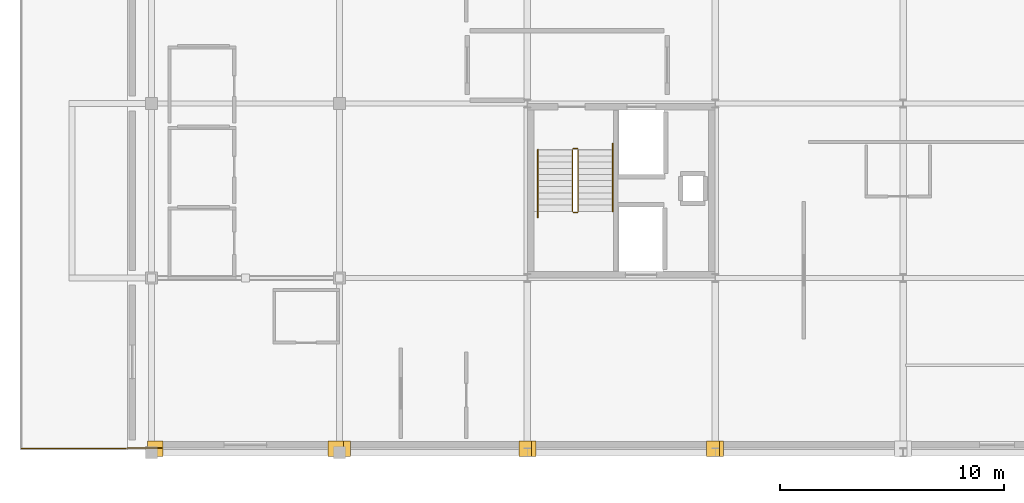
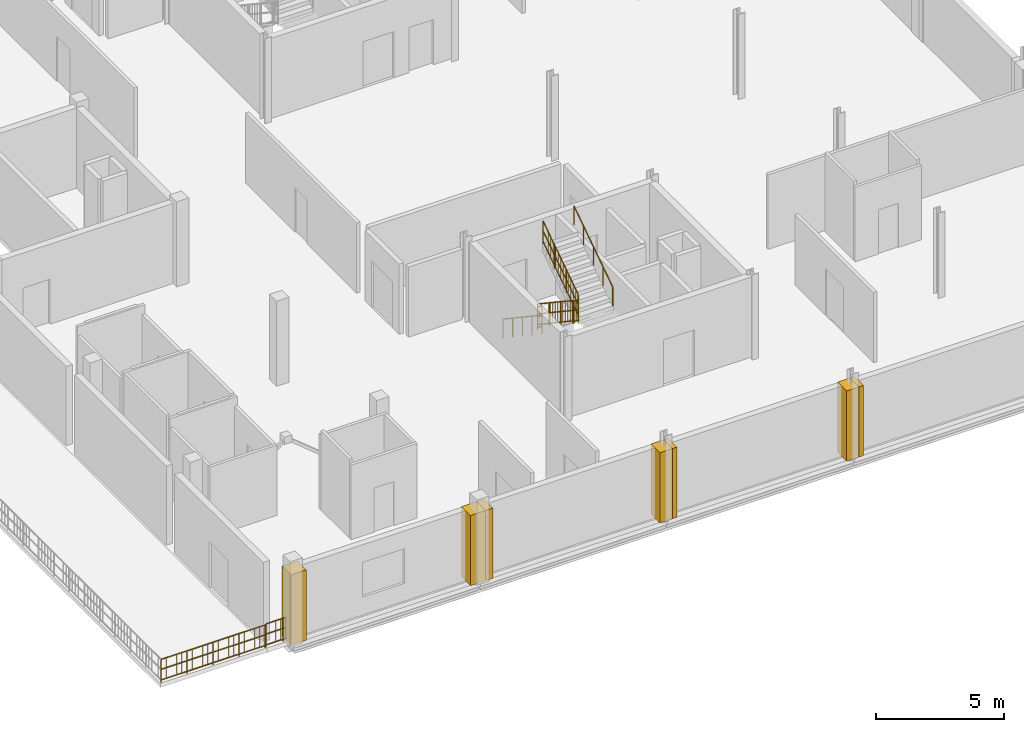
# One storey, part 11 of 16: 8 railings, 7 coverings.
"""IFC4 building model written with IfcOpenShell, lengths in metres."""

from ifc_helpers import new_model, si_unit, direction, frame, origin, origin_2d, place, context, subcontext, project, spatial, polyline, circle, outline, extrude, material, layer, layer_set, type_object, element, save


model = new_model("IFC4")

# Units and contexts
model_context = context("Model", 3, precision=1e-05, world=origin(), true_north=direction((0.0, 1.0)))
body_context = subcontext(model_context, "Body", "Model", "MODEL_VIEW")
ifc_project = project(units=[si_unit("LENGTHUNIT", "METRE"), si_unit("AREAUNIT", "SQUARE_METRE"), si_unit("VOLUMEUNIT", "CUBIC_METRE"), si_unit("PLANEANGLEUNIT", "RADIAN"), si_unit("MASSUNIT", "GRAM", prefix="KILO")], contexts=[model_context])

# Site, building, storey
site_placement = place(None, origin())
site = spatial("IfcSite", under=ifc_project, at=site_placement, CompositionType="ELEMENT")
building_placement = place(site_placement, origin())
building = spatial("IfcBuilding", under=site, at=building_placement, Name="Nabrawat Pavilion Hospital", CompositionType="ELEMENT")
storey_placement = place(building_placement, frame((0.0, 0.0, 31.050048828125)))
storey = spatial("IfcBuildingStorey", under=building, at=storey_placement, Name="L07", CompositionType="ELEMENT", Elevation=31.050048828125)

# Coverings
ifc_material_1 = material(Name="Precast concrete C40/50", Category="concrete")
ifc_layer_1 = layer(ifc_material_1, 0.360107421875, Name="Precast concrete C40/50")
ifc_layer_set_1 = layer_set([ifc_layer_1], Name="Precast concrete C40/50")
covering_type = type_object("IfcCoveringType", Name="Architectural Precast Column-Jamb Closure Reveal", PredefinedType="CLADDING", material=ifc_layer_set_1)
covering_1_placement = place(storey_placement, origin())
element("IfcCovering", 1, at=covering_1_placement, inside=storey, type_object=covering_type, Name="L07 Precast Facade Column-Jamb Weatherseal Closure 0639", PredefinedType="CLADDING", context=body_context, shape_type="SweptSolid", body=[
    extrude(outline(polyline([(151.705078125, 38.820068359375), (151.705078125, 39.52001953125), (151.02001953125, 39.52001953125), (151.02001953125, 38.820068359375), (151.705078125, 38.820068359375)])), origin(), (0.0, 0.0, 1.0), 3.33984375),
])
covering_2_placement = place(storey_placement, origin())
element("IfcCovering", 2, at=covering_2_placement, inside=storey, type_object=covering_type, Name="L07 Precast Facade Column-Jamb Weatherseal Closure 0640", PredefinedType="CLADDING", context=body_context, shape_type="SweptSolid", body=[
    extrude(outline(polyline([(159.780029296875, 38.820068359375), (159.780029296875, 39.52001953125), (159.094970703125, 39.52001953125), (159.094970703125, 38.820068359375), (159.780029296875, 38.820068359375)])), origin(), (0.0, 0.0, 1.0), 3.33984375),
])
covering_3_placement = place(storey_placement, origin())
element("IfcCovering", 3, at=covering_3_placement, inside=storey, type_object=covering_type, Name="L07 Precast Facade Column-Jamb Weatherseal Closure 0641", PredefinedType="CLADDING", context=body_context, shape_type="SweptSolid", body=[
    extrude(outline(polyline([(160.10498046875, 38.820068359375), (160.10498046875, 39.52001953125), (159.419921875, 39.52001953125), (159.419921875, 38.820068359375), (160.10498046875, 38.820068359375)])), origin(), (0.0, 0.0, 1.0), 3.33984375),
])
covering_4_placement = place(storey_placement, origin())
element("IfcCovering", 4, at=covering_4_placement, inside=storey, type_object=covering_type, Name="L07 Precast Facade Column-Jamb Weatherseal Closure 0642", PredefinedType="CLADDING", context=body_context, shape_type="SweptSolid", body=[
    extrude(outline(polyline([(168.179931640625, 38.820068359375), (168.179931640625, 39.52001953125), (167.6201171875, 39.52001953125), (167.6201171875, 38.820068359375), (168.179931640625, 38.820068359375)])), origin(), (0.0, 0.0, 1.0), 3.33984375),
])
covering_5_placement = place(storey_placement, origin())
element("IfcCovering", 5, at=covering_5_placement, inside=storey, type_object=covering_type, Name="L07 Precast Facade Column-Jamb Weatherseal Closure 0643", PredefinedType="CLADDING", context=body_context, shape_type="SweptSolid", body=[
    extrude(outline(polyline([(168.3798828125, 38.820068359375), (168.3798828125, 39.52001953125), (167.820068359375, 39.52001953125), (167.820068359375, 38.820068359375), (168.3798828125, 38.820068359375)])), origin(), (0.0, 0.0, 1.0), 3.33984375),
])
covering_6_placement = place(storey_placement, origin())
element("IfcCovering", 6, at=covering_6_placement, inside=storey, type_object=covering_type, Name="L07 Precast Facade Column-Jamb Weatherseal Closure 0644", PredefinedType="CLADDING", context=body_context, shape_type="SweptSolid", body=[
    extrude(outline(polyline([(176.580078125, 38.820068359375), (176.580078125, 39.52001953125), (176.02001953125, 39.52001953125), (176.02001953125, 38.820068359375), (176.580078125, 38.820068359375)])), origin(), (0.0, 0.0, 1.0), 3.33984375),
])
covering_7_placement = place(storey_placement, origin())
element("IfcCovering", 7, at=covering_7_placement, inside=storey, type_object=covering_type, Name="L07 Precast Facade Column-Jamb Weatherseal Closure 0645", PredefinedType="CLADDING", context=body_context, shape_type="SweptSolid", body=[
    extrude(outline(polyline([(176.780029296875, 38.820068359375), (176.780029296875, 39.52001953125), (176.219970703125, 39.52001953125), (176.219970703125, 38.820068359375), (176.780029296875, 38.820068359375)])), origin(), (0.0, 0.0, 1.0), 3.33984375),
])

# Railings
ifc_material_2 = material(Name="Stainless Steel 316", Category="steel")
ifc_layer_2 = layer(ifc_material_2, 0.070068359375, Name="Stainless Steel 316")
ifc_layer_set_2 = layer_set([ifc_layer_2], Name="Stainless Steel 316")
railing_type_1 = type_object("IfcRailingType", Name="Exterior Clinical Terrace Safety Guardrail 1100", PredefinedType="GUARDRAIL", material=ifc_layer_set_2)
railing_1_placement = place(storey_placement, frame((145.3798828125, 39.179931640625, 0.0)))
element("IfcRailing", 8, at=railing_1_placement, inside=storey, type_object=railing_type_1, Name="L07 Terrace Edge Safety Guardrail T_L07_WARD_WEST_S South", PredefinedType="GUARDRAIL", context=body_context, shape_type="SweptSolid", body=[
    extrude(circle(Radius=0.02392578125, at=origin_2d()), frame((0.0, 0.0, 1.076171875), z_axis=(1.0, 0.0, 0.0), x_axis=(0.0, 1.0, 0.0)), (0.0, 0.0, 1.0), 4.68017578125),
    extrude(circle(Radius=0.02392578125, at=origin_2d()), frame((0.0, 0.0, 0.10009765625), z_axis=(1.0, 0.0, 0.0), x_axis=(0.0, 1.0, 0.0)), (0.0, 0.0, 1.0), 4.68017578125),
    extrude(circle(Radius=0.02392578125, at=origin_2d()), frame((0.0, 0.0, 0.60498046875), z_axis=(1.0, 0.0, 0.0), x_axis=(0.0, 1.0, 0.0)), (0.0, 0.0, 1.0), 4.68017578125),
    extrude(circle(Radius=0.008056640625, at=origin_2d()), frame((0.23388671875, 0.0, 0.10009765625)), (0.0, 0.0, 1.0), 0.951904296875),
    extrude(circle(Radius=0.008056640625, at=origin_2d()), frame((0.468017578125, 0.0, 0.10009765625)), (0.0, 0.0, 1.0), 0.951904296875),
    extrude(circle(Radius=0.008056640625, at=origin_2d()), frame((0.7021484375, 0.0, 0.10009765625)), (0.0, 0.0, 1.0), 0.951904296875),
    extrude(circle(Radius=0.008056640625, at=origin_2d()), frame((0.93603515625, 0.0, 0.10009765625)), (0.0, 0.0, 1.0), 0.951904296875),
    extrude(circle(Radius=0.008056640625, at=origin_2d()), frame((1.404052734375, 0.0, 0.10009765625)), (0.0, 0.0, 1.0), 0.951904296875),
    extrude(circle(Radius=0.008056640625, at=origin_2d()), frame((1.63818359375, 0.0, 0.10009765625)), (0.0, 0.0, 1.0), 0.951904296875),
    extrude(circle(Radius=0.008056640625, at=origin_2d()), frame((1.8720703125, 0.0, 0.10009765625)), (0.0, 0.0, 1.0), 0.951904296875),
    extrude(circle(Radius=0.008056640625, at=origin_2d()), frame((2.10595703125, 0.0, 0.10009765625)), (0.0, 0.0, 1.0), 0.951904296875),
    extrude(circle(Radius=0.008056640625, at=origin_2d()), frame((2.57421875, 0.0, 0.10009765625)), (0.0, 0.0, 1.0), 0.951904296875),
    extrude(circle(Radius=0.008056640625, at=origin_2d()), frame((2.80810546875, 0.0, 0.10009765625)), (0.0, 0.0, 1.0), 0.951904296875),
    extrude(circle(Radius=0.008056640625, at=origin_2d()), frame((3.0419921875, 0.0, 0.10009765625)), (0.0, 0.0, 1.0), 0.951904296875),
    extrude(circle(Radius=0.008056640625, at=origin_2d()), frame((3.276123046875, 0.0, 0.10009765625)), (0.0, 0.0, 1.0), 0.951904296875),
    extrude(circle(Radius=0.008056640625, at=origin_2d()), frame((3.744140625, 0.0, 0.10009765625)), (0.0, 0.0, 1.0), 0.951904296875),
    extrude(circle(Radius=0.008056640625, at=origin_2d()), frame((3.97802734375, 0.0, 0.10009765625)), (0.0, 0.0, 1.0), 0.951904296875),
    extrude(circle(Radius=0.008056640625, at=origin_2d()), frame((4.212158203125, 0.0, 0.10009765625)), (0.0, 0.0, 1.0), 0.951904296875),
    extrude(circle(Radius=0.008056640625, at=origin_2d()), frame((4.4462890625, 0.0, 0.10009765625)), (0.0, 0.0, 1.0), 0.951904296875),
    extrude(circle(Radius=0.02099609375, at=origin_2d()), origin(), (0.0, 0.0, 1.0), 1.052001953125),
    extrude(circle(Radius=0.02099609375, at=origin_2d()), frame((1.169921875, 0.0, 0.0)), (0.0, 0.0, 1.0), 1.052001953125),
    extrude(circle(Radius=0.02099609375, at=origin_2d()), frame((2.340087890625, 0.0, 0.0)), (0.0, 0.0, 1.0), 1.052001953125),
    extrude(circle(Radius=0.02099609375, at=origin_2d()), frame((3.51025390625, 0.0, 0.0)), (0.0, 0.0, 1.0), 1.052001953125),
    extrude(circle(Radius=0.02099609375, at=origin_2d()), frame((4.68017578125, 0.0, 0.0)), (0.0, 0.0, 1.0), 1.052001953125),
])
railing_2_placement = place(storey_placement, frame((150.1201171875, 39.199951171875, 0.0)))
element("IfcRailing", 9, at=railing_2_placement, inside=storey, type_object=railing_type_1, Name="L07 South-West Setback Corner Guardrail", PredefinedType="GUARDRAIL", context=body_context, shape_type="SweptSolid", body=[
    extrude(circle(Radius=0.02392578125, at=origin_2d()), frame((0.0, 0.0, 1.09619140625), z_axis=(1.0, 0.0, 0.0), x_axis=(0.0, 1.0, 0.0)), (0.0, 0.0, 1.0), 1.52978515625),
    extrude(circle(Radius=0.02392578125, at=origin_2d()), frame((0.0, 0.0, 0.10009765625), z_axis=(1.0, 0.0, 0.0), x_axis=(0.0, 1.0, 0.0)), (0.0, 0.0, 1.0), 1.52978515625),
    extrude(circle(Radius=0.02392578125, at=origin_2d()), frame((0.0, 0.0, 0.615966796875), z_axis=(1.0, 0.0, 0.0), x_axis=(0.0, 1.0, 0.0)), (0.0, 0.0, 1.0), 1.52978515625),
    extrude(circle(Radius=0.008056640625, at=origin_2d()), frame((0.218505859375, 0.0, 0.10009765625)), (0.0, 0.0, 1.0), 0.971923828125),
    extrude(circle(Radius=0.008056640625, at=origin_2d()), frame((0.43701171875, 0.0, 0.10009765625)), (0.0, 0.0, 1.0), 0.971923828125),
    extrude(circle(Radius=0.008056640625, at=origin_2d()), frame((0.655517578125, 0.0, 0.10009765625)), (0.0, 0.0, 1.0), 0.971923828125),
    extrude(circle(Radius=0.008056640625, at=origin_2d()), frame((0.874267578125, 0.0, 0.10009765625)), (0.0, 0.0, 1.0), 0.971923828125),
    extrude(circle(Radius=0.008056640625, at=origin_2d()), frame((1.0927734375, 0.0, 0.10009765625)), (0.0, 0.0, 1.0), 0.971923828125),
    extrude(circle(Radius=0.008056640625, at=origin_2d()), frame((1.311279296875, 0.0, 0.10009765625)), (0.0, 0.0, 1.0), 0.971923828125),
    extrude(circle(Radius=0.02099609375, at=origin_2d()), origin(), (0.0, 0.0, 1.0), 1.072021484375),
    extrude(circle(Radius=0.02099609375, at=origin_2d()), frame((0.764892578125, 0.0, 0.0)), (0.0, 0.0, 1.0), 1.072021484375),
    extrude(circle(Radius=0.02099609375, at=origin_2d()), frame((1.52978515625, 0.0, 0.0)), (0.0, 0.0, 1.0), 1.072021484375),
])
ifc_layer_3 = layer(ifc_material_2, 0.050048828125, Name="Stainless Steel 316")
ifc_layer_set_3 = layer_set([ifc_layer_3], Name="Stainless Steel 316")
railing_type_2 = type_object("IfcRailingType", Name="Stair Open-Well Safety Guardrail 1100", PredefinedType="GUARDRAIL", material=ifc_layer_set_3)
railing_3_placement = place(storey_placement, frame((170.02490234375, 52.530029296875, 0.18408203125)))
element("IfcRailing", 10, at=railing_3_placement, inside=storey, type_object=railing_type_2, Name="L07 ST-05 stair guard 1", PredefinedType="GUARDRAIL", context=body_context, shape_type="SweptSolid", body=[
    extrude(circle(Radius=0.02392578125, at=origin_2d()), frame((0.0, 0.0, 1.076171875), z_axis=(0.0, -0.831004616288, 0.556265519071), x_axis=(1.0, 0.0, 0.0)), (0.0, 0.0, 1.0), 3.309326171875),
    extrude(circle(Radius=0.02392578125, at=origin_2d()), frame((0.0, 0.0, 0.10009765625), z_axis=(0.0, -0.831004616288, 0.556265519071), x_axis=(1.0, 0.0, 0.0)), (0.0, 0.0, 1.0), 3.309326171875),
    extrude(circle(Radius=0.02392578125, at=origin_2d()), frame((0.0, 0.0, 0.60498046875), z_axis=(0.0, -0.831004616288, 0.556265519071), x_axis=(1.0, 0.0, 0.0)), (0.0, 0.0, 1.0), 3.309326171875),
    extrude(circle(Radius=0.008056640625, at=origin_2d()), frame((0.0, -0.196533203125, 0.2314453125)), (0.0, 0.0, 1.0), 0.951904296875),
    extrude(circle(Radius=0.008056640625, at=origin_2d()), frame((0.0, -0.392822265625, 0.363037109375)), (0.0, 0.0, 1.0), 0.951904296875),
    extrude(circle(Radius=0.008056640625, at=origin_2d()), frame((0.0, -0.58935546875, 0.494384765625)), (0.0, 0.0, 1.0), 0.951904296875),
    extrude(circle(Radius=0.008056640625, at=origin_2d()), frame((0.0, -0.78564453125, 0.6259765625)), (0.0, 0.0, 1.0), 0.951904296875),
    extrude(circle(Radius=0.008056640625, at=origin_2d()), frame((0.0, -0.982177734375, 0.75732421875)), (0.0, 0.0, 1.0), 0.951904296875),
    extrude(circle(Radius=0.008056640625, at=origin_2d()), frame((0.0, -1.178466796875, 0.888916015625)), (0.0, 0.0, 1.0), 0.951904296875),
    extrude(circle(Radius=0.008056640625, at=origin_2d()), frame((0.0, -1.375, 1.0205078125)), (0.0, 0.0, 1.0), 0.951904296875),
    extrude(circle(Radius=0.008056640625, at=origin_2d()), frame((0.0, -1.571533203125, 1.15185546875)), (0.0, 0.0, 1.0), 0.951904296875),
    extrude(circle(Radius=0.008056640625, at=origin_2d()), frame((0.0, -1.767822265625, 1.283447265625)), (0.0, 0.0, 1.0), 0.951904296875),
    extrude(circle(Radius=0.008056640625, at=origin_2d()), frame((0.0, -1.96435546875, 1.414794921875)), (0.0, 0.0, 1.0), 0.951904296875),
    extrude(circle(Radius=0.008056640625, at=origin_2d()), frame((0.0, -2.16064453125, 1.54638671875)), (0.0, 0.0, 1.0), 0.951904296875),
    extrude(circle(Radius=0.008056640625, at=origin_2d()), frame((0.0, -2.357177734375, 1.677734375)), (0.0, 0.0, 1.0), 0.951904296875),
    extrude(circle(Radius=0.008056640625, at=origin_2d()), frame((0.0, -2.553466796875, 1.809326171875)), (0.0, 0.0, 1.0), 0.951904296875),
    extrude(circle(Radius=0.02099609375, at=origin_2d()), origin(), (0.0, 0.0, 1.0), 1.052001953125),
    extrude(circle(Radius=0.02099609375, at=origin_2d()), frame((0.0, -0.916748046875, 0.613525390625)), (0.0, 0.0, 1.0), 1.052001953125),
    extrude(circle(Radius=0.02099609375, at=origin_2d()), frame((0.0, -1.833251953125, 1.227294921875)), (0.0, 0.0, 1.0), 1.052001953125),
    extrude(circle(Radius=0.02099609375, at=origin_2d()), frame((0.0, -2.75, 1.8408203125)), (0.0, 0.0, 1.0), 1.052001953125),
])
railing_4_placement = place(storey_placement, frame((170.050048828125, 49.72998046875, 2.02490234375)))
element("IfcRailing", 11, at=railing_4_placement, inside=storey, type_object=railing_type_2, Name="L07 ST-05 stair guard 2", PredefinedType="GUARDRAIL", context=body_context, shape_type="SweptSolid", body=[
    extrude(circle(Radius=0.02392578125, at=origin_2d()), frame((0.0, 0.0, 1.076171875), z_axis=(1.0, 0.0, 0.0), x_axis=(0.0, 1.0, 0.0)), (0.0, 0.0, 1.0), 0.199951171875),
    extrude(circle(Radius=0.02392578125, at=origin_2d()), frame((0.0, 0.0, 0.10009765625), z_axis=(1.0, 0.0, 0.0), x_axis=(0.0, 1.0, 0.0)), (0.0, 0.0, 1.0), 0.199951171875),
    extrude(circle(Radius=0.02392578125, at=origin_2d()), frame((0.0, 0.0, 0.60498046875), z_axis=(1.0, 0.0, 0.0), x_axis=(0.0, 1.0, 0.0)), (0.0, 0.0, 1.0), 0.199951171875),
    extrude(circle(Radius=0.008056640625, at=origin_2d()), frame((0.10009765625, 0.0, 0.10009765625)), (0.0, 0.0, 1.0), 0.951904296875),
    extrude(circle(Radius=0.02099609375, at=origin_2d()), origin(), (0.0, 0.0, 1.0), 1.052001953125),
    extrude(circle(Radius=0.02099609375, at=origin_2d()), frame((0.199951171875, 0.0, 0.0)), (0.0, 0.0, 1.0), 1.052001953125),
])
railing_5_placement = place(storey_placement, frame((170.27490234375, 49.780029296875, 2.208984375)))
element("IfcRailing", 12, at=railing_5_placement, inside=storey, type_object=railing_type_2, Name="L07 ST-05 stair guard 3", PredefinedType="GUARDRAIL", context=body_context, shape_type="SweptSolid", body=[
    extrude(circle(Radius=0.02392578125, at=origin_2d()), frame((0.0, 0.0, 1.076171875), z_axis=(0.0, 0.830970512829, 0.556316462824), x_axis=(-1.0, 0.0, 0.0)), (0.0, 0.0, 1.0), 3.309326171875),
    extrude(circle(Radius=0.02392578125, at=origin_2d()), frame((0.0, 0.0, 0.10009765625), z_axis=(0.0, 0.830970512829, 0.556316462824), x_axis=(-1.0, 0.0, 0.0)), (0.0, 0.0, 1.0), 3.309326171875),
    extrude(circle(Radius=0.02392578125, at=origin_2d()), frame((0.0, 0.0, 0.60498046875), z_axis=(0.0, 0.830970512829, 0.556316462824), x_axis=(-1.0, 0.0, 0.0)), (0.0, 0.0, 1.0), 3.309326171875),
    extrude(circle(Radius=0.008056640625, at=origin_2d()), frame((0.0, 0.196533203125, 0.2314453125)), (0.0, 0.0, 1.0), 0.951904296875),
    extrude(circle(Radius=0.008056640625, at=origin_2d()), frame((0.0, 0.392822265625, 0.363037109375)), (0.0, 0.0, 1.0), 0.951904296875),
    extrude(circle(Radius=0.008056640625, at=origin_2d()), frame((0.0, 0.58935546875, 0.49462890625)), (0.0, 0.0, 1.0), 0.951904296875),
    extrude(circle(Radius=0.008056640625, at=origin_2d()), frame((0.0, 0.78564453125, 0.6259765625)), (0.0, 0.0, 1.0), 0.951904296875),
    extrude(circle(Radius=0.008056640625, at=origin_2d()), frame((0.0, 0.982177734375, 0.757568359375)), (0.0, 0.0, 1.0), 0.951904296875),
    extrude(circle(Radius=0.008056640625, at=origin_2d()), frame((0.0, 1.178466796875, 0.888916015625)), (0.0, 0.0, 1.0), 0.951904296875),
    extrude(circle(Radius=0.008056640625, at=origin_2d()), frame((0.0, 1.375, 1.0205078125)), (0.0, 0.0, 1.0), 0.951904296875),
    extrude(circle(Radius=0.008056640625, at=origin_2d()), frame((0.0, 1.571533203125, 1.152099609375)), (0.0, 0.0, 1.0), 0.951904296875),
    extrude(circle(Radius=0.008056640625, at=origin_2d()), frame((0.0, 1.767822265625, 1.283447265625)), (0.0, 0.0, 1.0), 0.951904296875),
    extrude(circle(Radius=0.008056640625, at=origin_2d()), frame((0.0, 1.96435546875, 1.4150390625)), (0.0, 0.0, 1.0), 0.951904296875),
    extrude(circle(Radius=0.008056640625, at=origin_2d()), frame((0.0, 2.16064453125, 1.546630859375)), (0.0, 0.0, 1.0), 0.951904296875),
    extrude(circle(Radius=0.008056640625, at=origin_2d()), frame((0.0, 2.357177734375, 1.677978515625)), (0.0, 0.0, 1.0), 0.951904296875),
    extrude(circle(Radius=0.008056640625, at=origin_2d()), frame((0.0, 2.553466796875, 1.8095703125)), (0.0, 0.0, 1.0), 0.951904296875),
    extrude(circle(Radius=0.02099609375, at=origin_2d()), origin(), (0.0, 0.0, 1.0), 1.052001953125),
    extrude(circle(Radius=0.02099609375, at=origin_2d()), frame((0.0, 0.916748046875, 0.61376953125)), (0.0, 0.0, 1.0), 1.052001953125),
    extrude(circle(Radius=0.02099609375, at=origin_2d()), frame((0.0, 1.833251953125, 1.227294921875)), (0.0, 0.0, 1.0), 1.052001953125),
    extrude(circle(Radius=0.02099609375, at=origin_2d()), frame((0.0, 2.75, 1.841064453125)), (0.0, 0.0, 1.0), 1.052001953125),
])
railing_6_placement = place(storey_placement, frame((170.050048828125, 52.580078125, 0.0)))
element("IfcRailing", 13, at=railing_6_placement, inside=storey, type_object=railing_type_2, Name="L07 ST-05 stair guard 4", PredefinedType="GUARDRAIL", context=body_context, shape_type="SweptSolid", body=[
    extrude(circle(Radius=0.02392578125, at=origin_2d()), frame((0.0, 0.0, 1.076171875), z_axis=(1.0, 0.0, 0.0), x_axis=(0.0, 1.0, 0.0)), (0.0, 0.0, 1.0), 0.199951171875),
    extrude(circle(Radius=0.02392578125, at=origin_2d()), frame((0.0, 0.0, 0.10009765625), z_axis=(1.0, 0.0, 0.0), x_axis=(0.0, 1.0, 0.0)), (0.0, 0.0, 1.0), 0.199951171875),
    extrude(circle(Radius=0.02392578125, at=origin_2d()), frame((0.0, 0.0, 0.60498046875), z_axis=(1.0, 0.0, 0.0), x_axis=(0.0, 1.0, 0.0)), (0.0, 0.0, 1.0), 0.199951171875),
    extrude(circle(Radius=0.008056640625, at=origin_2d()), frame((0.10009765625, 0.0, 0.10009765625)), (0.0, 0.0, 1.0), 0.951904296875),
    extrude(circle(Radius=0.02099609375, at=origin_2d()), origin(), (0.0, 0.0, 1.0), 1.052001953125),
    extrude(circle(Radius=0.02099609375, at=origin_2d()), frame((0.199951171875, 0.0, 0.0)), (0.0, 0.0, 1.0), 1.052001953125),
])
ifc_layer_4 = layer(ifc_material_2, 0.044921875, Name="Stainless Steel 316")
ifc_layer_set_4 = layer_set([ifc_layer_4], Name="Stainless Steel 316")
railing_type_3 = type_object("IfcRailingType", Name="Stair Pitch Continuous Handrail 920", PredefinedType="HANDRAIL", material=ifc_layer_set_4)
railing_7_placement = place(storey_placement, frame((168.47509765625, 52.530029296875, 0.18798828125)))
element("IfcRailing", 14, at=railing_7_placement, inside=storey, type_object=railing_type_3, Name="L07 ST-05 stair handrail 1", PredefinedType="HANDRAIL", context=body_context, shape_type="SweptSolid", body=[
    extrude(circle(Radius=0.02392578125, at=origin_2d()), frame((0.0, 0.0, 0.89599609375), z_axis=(0.0, -0.830986065984, 0.556293230356), x_axis=(1.0, 0.0, 0.0)), (0.0, 0.0, 1.0), 3.640380859375),
    extrude(circle(Radius=0.02099609375, at=origin_2d()), origin(), (0.0, 0.0, 1.0), 0.871826171875),
    extrude(circle(Radius=0.02099609375, at=origin_2d()), frame((0.0, -0.75634765625, 0.50634765625)), (0.0, 0.0, 1.0), 0.871826171875),
    extrude(circle(Radius=0.02099609375, at=origin_2d()), frame((0.0, -1.5126953125, 1.0126953125)), (0.0, 0.0, 1.0), 0.871826171875),
    extrude(circle(Radius=0.02099609375, at=origin_2d()), frame((0.0, -2.268798828125, 1.518798828125)), (0.0, 0.0, 1.0), 0.871826171875),
    extrude(circle(Radius=0.02099609375, at=origin_2d()), frame((0.0, -3.025146484375, 2.025146484375)), (0.0, 0.0, 1.0), 0.871826171875),
])
railing_8_placement = place(storey_placement, frame((171.824951171875, 49.780029296875, 2.213134765625)))
element("IfcRailing", 15, at=railing_8_placement, inside=storey, type_object=railing_type_3, Name="L07 ST-05 stair handrail 2", PredefinedType="HANDRAIL", context=body_context, shape_type="SweptSolid", body=[
    extrude(circle(Radius=0.02392578125, at=origin_2d()), frame((0.0, 0.0, 0.89599609375), z_axis=(0.0, 0.830996314782, 0.556277920484), x_axis=(-1.0, 0.0, 0.0)), (0.0, 0.0, 1.0), 3.64013671875),
    extrude(circle(Radius=0.02099609375, at=origin_2d()), origin(), (0.0, 0.0, 1.0), 0.871826171875),
    extrude(circle(Radius=0.02099609375, at=origin_2d()), frame((0.0, 0.75634765625, 0.50634765625)), (0.0, 0.0, 1.0), 0.871826171875),
    extrude(circle(Radius=0.02099609375, at=origin_2d()), frame((0.0, 1.512451171875, 1.012451171875)), (0.0, 0.0, 1.0), 0.871826171875),
    extrude(circle(Radius=0.02099609375, at=origin_2d()), frame((0.0, 2.2685546875, 1.5185546875)), (0.0, 0.0, 1.0), 0.871826171875),
    extrude(circle(Radius=0.02099609375, at=origin_2d()), frame((0.0, 3.02490234375, 2.02490234375)), (0.0, 0.0, 1.0), 0.871826171875),
])

save(model, "model.ifc")
